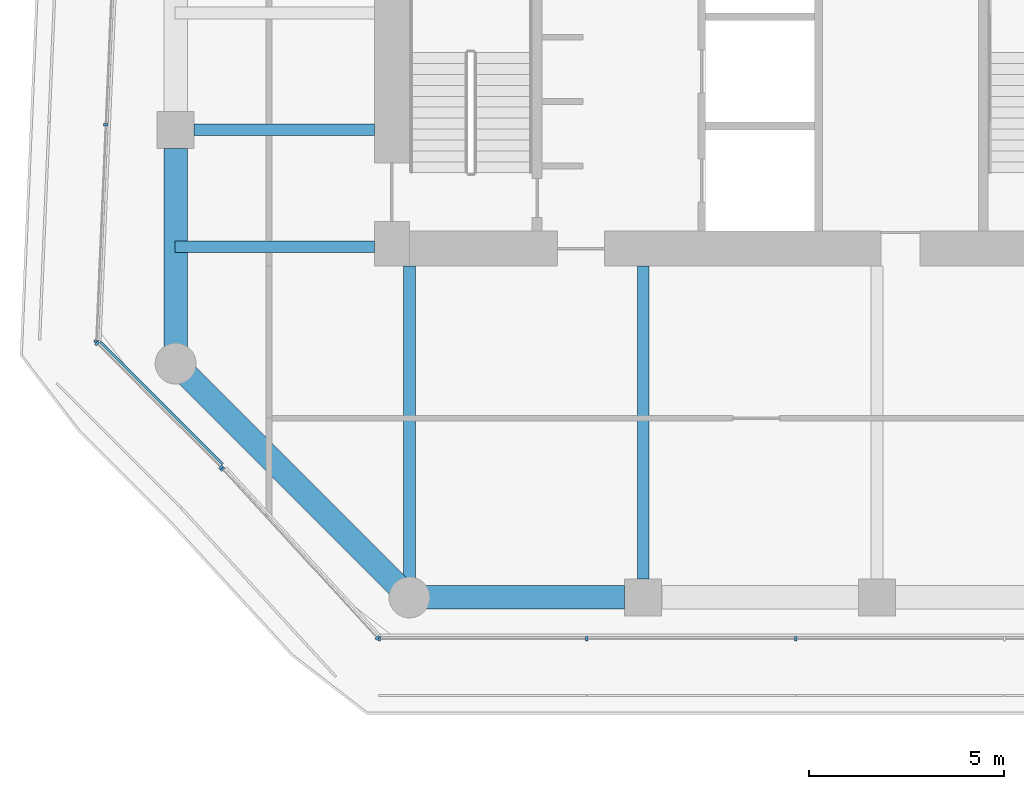
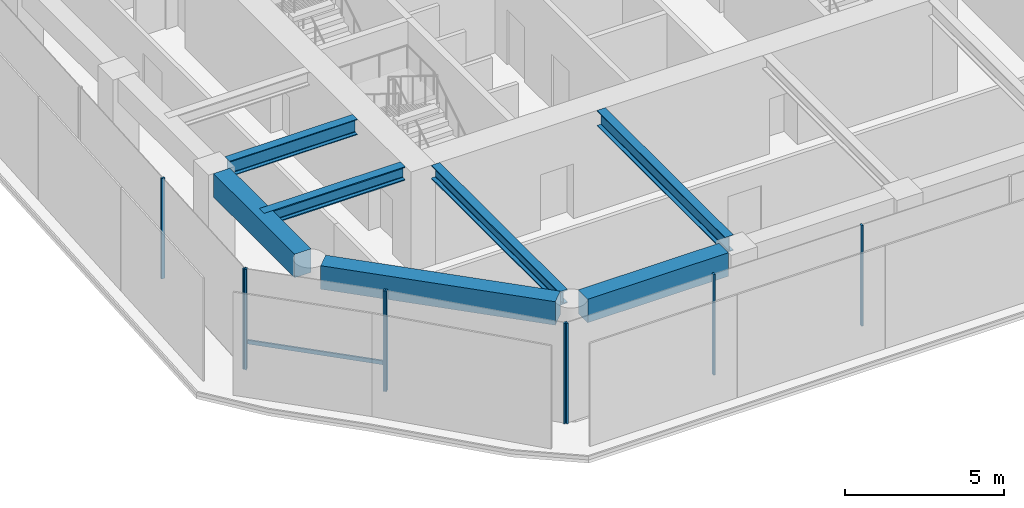
# One storey, part 2 of 29: 10 members, 7 beams, 4 elements without a shape of their own.
"""IFC4 building model written with IfcOpenShell, lengths in metres."""

from ifc_helpers import new_model, si_unit, direction, frame, origin, origin_2d, place, context, subcontext, project, spatial, rectangle, i_section, extrude, material, layer, layer_set, material_profile, profile_set, type_object, element, aggregate, save


model = new_model("IFC4")

# Units and contexts
model_context = context("Model", 3, precision=1e-05, world=origin(), true_north=direction((0.0, 1.0)))
body_context = subcontext(model_context, "Body", "Model", "MODEL_VIEW")
ifc_project = project(units=[si_unit("LENGTHUNIT", "METRE"), si_unit("AREAUNIT", "SQUARE_METRE"), si_unit("VOLUMEUNIT", "CUBIC_METRE"), si_unit("PLANEANGLEUNIT", "RADIAN"), si_unit("MASSUNIT", "GRAM", prefix="KILO")], contexts=[model_context])

# Site, building, storey
site_placement = place(None, origin())
site = spatial("IfcSite", under=ifc_project, at=site_placement, CompositionType="ELEMENT")
building_placement = place(site_placement, origin())
building = spatial("IfcBuilding", under=site, at=building_placement, Name="Welwitschia Terrace Campus", CompositionType="ELEMENT")
storey_placement = place(building_placement, frame((0.0, 0.0, 41.60009765625)))
storey = spatial("IfcBuildingStorey", under=building, at=storey_placement, Name="L09", CompositionType="ELEMENT", Elevation=41.60009765625)

# Beams
ifc_material_1 = material(Name="Steel S355", Category="steel")
ifc_material_profile_1 = material_profile(ifc_material_1, i_section(OverallWidth=0.305908203125, OverallDepth=0.52392578125, WebThickness=0.02099609375, FlangeThickness=0.0400390625, FilletRadius=0.027099609375, at=origin_2d()))
ifc_profile_set_1 = profile_set([ifc_material_profile_1], Name="Steel S355")
beam_type_1 = type_object("IfcBeamType", Name="Interior girder HE 500 M", PredefinedType="BEAM", material=ifc_profile_set_1)
beam_1_placement = place(storey_placement, frame((-0.010009765625, 5.0, 3.587890625), z_axis=(1.0, 0.0, 0.0), x_axis=(0.0, 1.0, 0.0)))
element("IfcBeam", 1, at=beam_1_placement, inside=storey, type_object=beam_type_1, Name="Girder GB2", PredefinedType="BEAM", context=body_context, shape_type="SweptSolid", body=[
    extrude(i_section(OverallWidth=0.305908203125, OverallDepth=0.52392578125, WebThickness=0.02099609375, FlangeThickness=0.0400390625, FilletRadius=0.027099609375, at=origin_2d()), origin(), (0.0, 0.0, 1.0), 5.109130859375),
])
beam_2_placement = place(storey_placement, frame((6.0, -3.507080078125, 3.587890625), z_axis=(0.0, 1.0, 0.0), x_axis=(-1.0, 0.0, 0.0)))
element("IfcBeam", 2, at=beam_2_placement, inside=storey, type_object=beam_type_1, Name="Girder GB2", PredefinedType="BEAM", context=body_context, shape_type="SweptSolid", body=[
    extrude(i_section(OverallWidth=0.305908203125, OverallDepth=0.52392578125, WebThickness=0.02099609375, FlangeThickness=0.0400390625, FilletRadius=0.027099609375, at=origin_2d()), origin(), (0.0, 0.0, 1.0), 8.006103515625),
])

# Curtain wall, members
ifc_material_2 = material(Name="Bronze anodised aluminium", Category="aluminium")
ifc_layer = layer(ifc_material_2, 0.1201171875)
ifc_layer_set = layer_set([ifc_layer], Name="Bronze anodised aluminium")
curtain_wall_type = type_object("IfcCurtainWallType", Name="Curtain wall CW2 tower 6000", PredefinedType="NOTDEFINED", material=ifc_layer_set)
curtain_wall_1_placement = place(storey_placement, origin())
curtain_wall_1 = element("IfcCurtainWall", 3, at=curtain_wall_1_placement, inside=storey, type_object=curtain_wall_type, Name="CW L09.0.0", PredefinedType="NOTDEFINED")
ifc_material_3 = material(Name="Bronze anodised aluminium", Category="aluminium")
ifc_material_profile_2 = material_profile(ifc_material_3, rectangle(XDim=0.1201171875, YDim=0.06005859375, at=origin_2d()))
ifc_profile_set_2 = profile_set([ifc_material_profile_2], Name="Bronze anodised aluminium")
member_type_1 = type_object("IfcMemberType", Name="Mullion 60x120", PredefinedType="MULLION", material=ifc_profile_set_2)
member_1_placement = place(storey_placement, frame((-1.790283203125, 8.12939453125, 0.0), z_axis=(0.0, 0.0, 1.0), x_axis=(0.999048221582, -0.043619387365, 0.0)))
member_1 = element("IfcMember", 4, at=member_1_placement, type_object=member_type_1, Name="Mullion L09.0.0.3", PredefinedType="MULLION", context=body_context, shape_type="SweptSolid", body=[
    extrude(rectangle(XDim=0.1201171875, YDim=0.06005859375, at=origin_2d()), origin(), (0.0, 0.0, 1.0), 3.849853515625),
])
member_2_placement = place(storey_placement, frame((-2.033203125, 2.568115234375, 0.0), z_axis=(0.0, 0.0, 1.0), x_axis=(0.999048221582, -0.043619387365, 0.0)))
member_2 = element("IfcMember", 5, at=member_2_placement, type_object=member_type_1, Name="Mullion L09.0.0.4", PredefinedType="MULLION", context=body_context, shape_type="SweptSolid", body=[
    extrude(rectangle(XDim=0.1201171875, YDim=0.06005859375, at=origin_2d()), origin(), (0.0, 0.0, 1.0), 3.849853515625),
])
aggregate(curtain_wall_1, [member_1, member_2])

curtain_wall_2_placement = place(storey_placement, origin())
curtain_wall_2 = element("IfcCurtainWall", 6, at=curtain_wall_2_placement, inside=storey, type_object=curtain_wall_type, Name="CW L09.1.0", PredefinedType="NOTDEFINED")
member_3_placement = place(storey_placement, frame((-2.01318359375, 2.51708984375, 0.0), z_axis=(0.0, 0.0, 1.0), x_axis=(0.707106781187, 0.707106781187, 0.0)))
member_3 = element("IfcMember", 7, at=member_3_placement, type_object=member_type_1, Name="Mullion L09.1.0.0", PredefinedType="MULLION", context=body_context, shape_type="SweptSolid", body=[
    extrude(rectangle(XDim=0.1201171875, YDim=0.06005859375, at=origin_2d()), origin(), (0.0, 0.0, 1.0), 3.849853515625),
])
member_4_placement = place(storey_placement, frame((1.16552734375, -0.66162109375, 0.0), z_axis=(0.0, 0.0, 1.0), x_axis=(0.707106781187, 0.707106781187, 0.0)))
member_4 = element("IfcMember", 8, at=member_4_placement, type_object=member_type_1, Name="Mullion L09.1.0.1", PredefinedType="MULLION", context=body_context, shape_type="SweptSolid", body=[
    extrude(rectangle(XDim=0.1201171875, YDim=0.06005859375, at=origin_2d()), origin(), (0.0, 0.0, 1.0), 3.849853515625),
])

curtain_wall_3_placement = place(storey_placement, origin())
curtain_wall_3 = element("IfcCurtainWall", 9, at=curtain_wall_3_placement, inside=storey, type_object=curtain_wall_type, Name="CW L09.2.0", PredefinedType="NOTDEFINED")
member_5_placement = place(storey_placement, frame((1.206787109375, -0.705078125, 0.0), z_axis=(0.0, 0.0, 1.0), x_axis=(0.73727733681, 0.675590207616, 0.0)))
member_5 = element("IfcMember", 10, at=member_5_placement, type_object=member_type_1, Name="Mullion L09.2.0.0", PredefinedType="MULLION", context=body_context, shape_type="SweptSolid", body=[
    extrude(rectangle(XDim=0.1201171875, YDim=0.06005859375, at=origin_2d()), origin(), (0.0, 0.0, 1.0), 3.849853515625),
])
member_6_placement = place(storey_placement, frame((5.175537109375, -5.035888671875, 0.0), z_axis=(0.0, 0.0, 1.0), x_axis=(0.73727733681, 0.675590207616, 0.0)))
member_6 = element("IfcMember", 11, at=member_6_placement, type_object=member_type_1, Name="Mullion L09.2.0.1", PredefinedType="MULLION", context=body_context, shape_type="SweptSolid", body=[
    extrude(rectangle(XDim=0.1201171875, YDim=0.06005859375, at=origin_2d()), origin(), (0.0, 0.0, 1.0), 3.849853515625),
])
aggregate(curtain_wall_3, [member_5, member_6])

curtain_wall_4_placement = place(storey_placement, origin())
curtain_wall_4 = element("IfcCurtainWall", 12, at=curtain_wall_4_placement, inside=storey, type_object=curtain_wall_type, Name="CW L09.3.0", PredefinedType="NOTDEFINED")
member_7_placement = place(storey_placement, frame((5.2255859375, -5.05810546875, 0.0), z_axis=(0.0, 0.0, 1.0), x_axis=(0.0, 1.0, 0.0)))
member_7 = element("IfcMember", 13, at=member_7_placement, type_object=member_type_1, Name="Mullion L09.3.0.0", PredefinedType="MULLION", context=body_context, shape_type="SweptSolid", body=[
    extrude(rectangle(XDim=0.1201171875, YDim=0.06005859375, at=origin_2d()), origin(), (0.0, 0.0, 1.0), 3.849853515625),
])
member_8_placement = place(storey_placement, frame((10.5537109375, -5.05810546875, 0.0), z_axis=(0.0, 0.0, 1.0), x_axis=(0.0, 1.0, 0.0)))
member_8 = element("IfcMember", 14, at=member_8_placement, type_object=member_type_1, Name="Mullion L09.3.0.1", PredefinedType="MULLION", context=body_context, shape_type="SweptSolid", body=[
    extrude(rectangle(XDim=0.1201171875, YDim=0.06005859375, at=origin_2d()), origin(), (0.0, 0.0, 1.0), 3.849853515625),
])
member_9_placement = place(storey_placement, frame((15.911865234375, -5.05810546875, 0.0), z_axis=(0.0, 0.0, 1.0), x_axis=(0.0, 1.0, 0.0)))
member_9 = element("IfcMember", 15, at=member_9_placement, type_object=member_type_1, Name="Mullion L09.3.0.2", PredefinedType="MULLION", context=body_context, shape_type="SweptSolid", body=[
    extrude(rectangle(XDim=0.1201171875, YDim=0.06005859375, at=origin_2d()), origin(), (0.0, 0.0, 1.0), 3.849853515625),
])
aggregate(curtain_wall_4, [member_7, member_8, member_9])

# Beams
ifc_material_4 = material(Name="Steel S355", Category="steel")
ifc_material_profile_3 = material_profile(ifc_material_4, i_section(OverallWidth=0.300048828125, OverallDepth=0.60009765625, WebThickness=0.015380859375, FlangeThickness=0.030029296875, FilletRadius=0.027099609375, at=origin_2d()))
ifc_profile_set_3 = profile_set([ifc_material_profile_3], Name="Steel S355")
beam_type_2 = type_object("IfcBeamType", Name="Primary beam HE 600 B", PredefinedType="BEAM", material=ifc_profile_set_3)
beam_3_placement = place(storey_placement, frame((12.0, -3.5244140625, 3.5498046875), z_axis=(0.0, 1.0, 0.0), x_axis=(-1.0, 0.0, 0.0)))
element("IfcBeam", 16, at=beam_3_placement, inside=storey, type_object=beam_type_2, Name="Primary beam PB2", PredefinedType="BEAM", context=body_context, shape_type="SweptSolid", body=[
    extrude(i_section(OverallWidth=0.300048828125, OverallDepth=0.60009765625, WebThickness=0.015380859375, FlangeThickness=0.030029296875, FilletRadius=0.027099609375, at=origin_2d()), origin(), (0.0, 0.0, 1.0), 8.0244140625),
])
beam_4_placement = place(storey_placement, frame((0.4755859375, 8.0, 3.5498046875), z_axis=(1.0, 0.0, 0.0), x_axis=(0.0, 1.0, 0.0)))
element("IfcBeam", 17, at=beam_4_placement, inside=storey, type_object=beam_type_2, Name="Primary beam PB2", PredefinedType="BEAM", context=body_context, shape_type="SweptSolid", body=[
    extrude(i_section(OverallWidth=0.300048828125, OverallDepth=0.60009765625, WebThickness=0.015380859375, FlangeThickness=0.030029296875, FilletRadius=0.027099609375, at=origin_2d()), origin(), (0.0, 0.0, 1.0), 4.62451171875),
])
ifc_material_5 = material(Name="Concrete C60/75", Category="concrete")
ifc_material_profile_4 = material_profile(ifc_material_5, rectangle(XDim=0.60009765625, YDim=0.89990234375, at=origin_2d()))
ifc_profile_set_4 = profile_set([ifc_material_profile_4], Name="Concrete C60/75")
beam_type_3 = type_object("IfcBeamType", Name="Ring spandrel 600x900", PredefinedType="SPANDREL", material=ifc_profile_set_4)
beam_5_placement = place(storey_placement, frame((0.30517578125, 1.69482421875, 3.39990234375), z_axis=(0.707106781187, -0.707106781187, 0.0), x_axis=(0.707106781187, 0.707106781187, 0.0)))
element("IfcBeam", 18, at=beam_5_placement, inside=storey, type_object=beam_type_3, Name="Spandrel SP2", PredefinedType="SPANDREL", context=body_context, shape_type="SweptSolid", body=[
    extrude(rectangle(XDim=0.60009765625, YDim=0.89990234375, at=origin_2d()), origin(), (0.0, 0.0, 1.0), 7.6220703125),
])
for number, where, z_axis, x_axis, name in (
    (19, (6.431396484375, -4.0, 3.39990234375), (1.0, 0.0, 0.0), (0.0, 1.0, 0.0), "Spandrel SP2"),
    (20, (0.0, 7.5244140625, 3.39990234375), (0.0, -1.0, 0.0), (1.0, 0.0, 0.0), "Spandrel SP2"),
):
    element("IfcBeam", number, at=place(storey_placement, frame(where, z_axis=z_axis, x_axis=x_axis)), inside=storey, type_object=beam_type_3, Name=name, PredefinedType="SPANDREL", context=body_context, shape_type="SweptSolid", body=[
        extrude(rectangle(XDim=0.60009765625, YDim=0.89990234375, at=origin_2d()), origin(), (0.0, 0.0, 1.0), 5.093017578125),
    ])

# Member
ifc_material_6 = material(Name="Bronze anodised aluminium", Category="aluminium")
ifc_material_profile_5 = material_profile(ifc_material_6, rectangle(XDim=0.06005859375, YDim=0.14990234375, at=origin_2d()))
ifc_profile_set_5 = profile_set([ifc_material_profile_5], Name="Bronze anodised aluminium")
member_type_2 = type_object("IfcMemberType", Name="Transom 60x150", PredefinedType="USERDEFINED", material=ifc_profile_set_5)
member_10_placement = place(storey_placement, frame((-1.928466796875, 2.5595703125, 1.0), z_axis=(0.707079259272, -0.70713430203, 0.0), x_axis=(0.70713430203, 0.707079259272, 0.0)))
member_10 = element("IfcMember", 21, at=member_10_placement, type_object=member_type_2, Name="Transom L09.1.0", ObjectType="TRANSOM", PredefinedType="USERDEFINED", context=body_context, shape_type="SweptSolid", body=[
    extrude(rectangle(XDim=0.06005859375, YDim=0.14990234375, at=origin_2d()), origin(), (0.0, 0.0, 1.0), 4.435546875),
])

aggregate(curtain_wall_2, [member_3, member_4, member_10])

save(model, "model.ifc")
